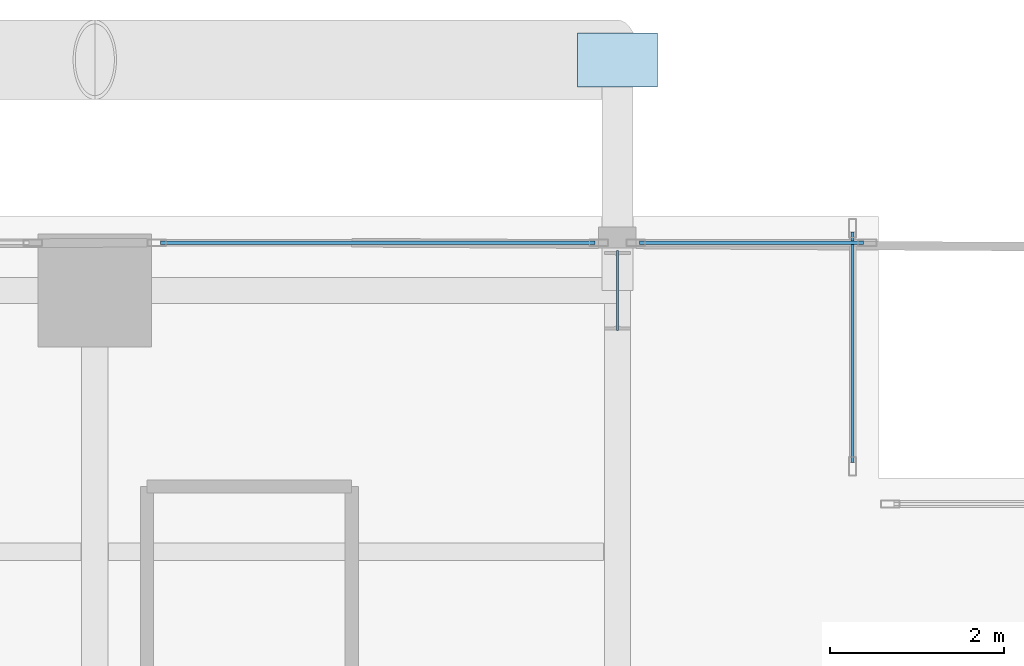
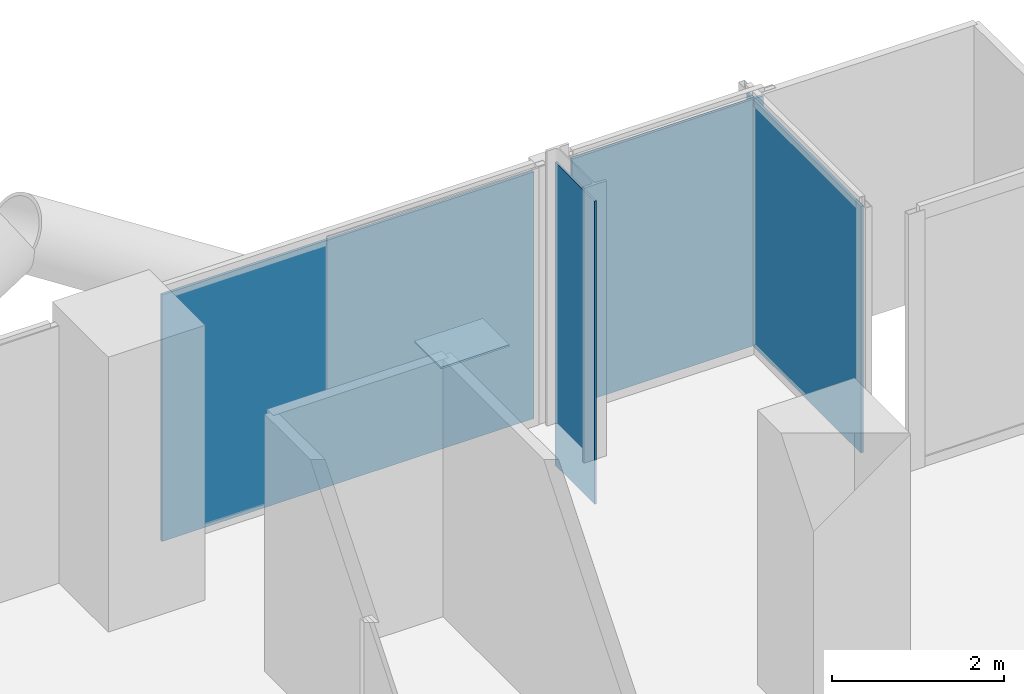
# One storey, part 18 of 25: 5 plates, 3 elements without a shape of their own.
"""IFC4 building model written with IfcOpenShell, lengths in metres."""

from ifc_helpers import new_model, si_unit, direction, frame, origin, origin_2d, place, context, subcontext, project, spatial, rectangle, extrude, material, layer, layer_set, type_object, element, aggregate, save


model = new_model("IFC4")

# Units and contexts
model_context = context("Model", 3, precision=1e-05, world=origin(), true_north=direction((0.0, 1.0)))
body_context = subcontext(model_context, "Body", "Model", "MODEL_VIEW")
ifc_project = project(units=[si_unit("LENGTHUNIT", "METRE"), si_unit("AREAUNIT", "SQUARE_METRE"), si_unit("VOLUMEUNIT", "CUBIC_METRE"), si_unit("PLANEANGLEUNIT", "RADIAN"), si_unit("MASSUNIT", "GRAM", prefix="KILO"), si_unit("THERMODYNAMICTEMPERATUREUNIT", "KELVIN"), si_unit("POWERUNIT", "WATT")], contexts=[model_context])

# Site, building, storey
site_placement = place(None, origin())
site = spatial("IfcSite", under=ifc_project, at=site_placement, CompositionType="ELEMENT")
building_placement = place(site_placement, origin())
building = spatial("IfcBuilding", under=site, at=building_placement, Name="Svarakhadi Broadcast Tower", CompositionType="ELEMENT")
storey_placement = place(building_placement, frame((0.0, 0.0, 32.39990234375)))
storey = spatial("IfcBuildingStorey", under=building, at=storey_placement, Name="L06", CompositionType="ELEMENT", Elevation=32.39990234375)

# Curtain wall, plate
ifc_material_1 = material(Name="Anodised Bronze Aluminium AA 6063-T6", Category="aluminium")
ifc_layer_1 = layer(ifc_material_1, 0.219970703125)
ifc_layer_set_1 = layer_set([ifc_layer_1], Name="Anodised Bronze Aluminium AA 6063-T6")
curtain_wall_type = type_object("IfcCurtainWallType", Name="CW_Sys_02", PredefinedType="NOTDEFINED", material=ifc_layer_set_1)
curtain_wall_1_placement = place(storey_placement, origin())
curtain_wall_1 = element("IfcCurtainWall", 1, at=curtain_wall_1_placement, inside=storey, type_object=curtain_wall_type, Name="L06 Unitised Facade Curtain Wall 06 Bay 3", PredefinedType="NOTDEFINED")
ifc_material_2 = material(Name="Double Low-E Laminated Acoustic Glass IGU 36 mm", Category="glass")
ifc_layer_2 = layer(ifc_material_2, 0.035888671875)
ifc_layer_set_2 = layer_set([ifc_layer_2], Name="Double Low-E Laminated Acoustic Glass IGU 36 mm")
plate_type_1 = type_object("IfcPlateType", Name="CW_Sys_02_Pnl", PredefinedType="CURTAIN_PANEL", material=ifc_layer_set_2)
plate_1_placement = place(storey_placement, frame((15.25, 47.699951171875, 0.0751953125), z_axis=(0.0, 0.0, 1.0), x_axis=(1.0, 0.0, 0.0)))
plate_1 = element("IfcPlate", 2, at=plate_1_placement, type_object=plate_type_1, Name="CW-02 panel 1.1", PredefinedType="CURTAIN_PANEL", context=body_context, shape_type="SweptSolid", body=[
    extrude(rectangle(XDim=4.989990234375, YDim=0.035888671875, at=origin_2d()), origin(), (0.0, 0.0, 1.0), 3.5),
])
aggregate(curtain_wall_1, [plate_1])

curtain_wall_2_placement = place(storey_placement, origin())
curtain_wall_2 = element("IfcCurtainWall", 3, at=curtain_wall_2_placement, inside=storey, type_object=curtain_wall_type, Name="L06 Unitised Facade Curtain Wall 06 Bay 4", PredefinedType="NOTDEFINED")
plate_2_placement = place(storey_placement, frame((19.5400390625, 47.699951171875, 0.0751953125), z_axis=(0.0, 0.0, 1.0), x_axis=(1.0, 0.0, 0.0)))
plate_2 = element("IfcPlate", 4, at=plate_2_placement, type_object=plate_type_1, Name="CW-02 panel 1.1", PredefinedType="CURTAIN_PANEL", context=body_context, shape_type="SweptSolid", body=[
    extrude(rectangle(XDim=2.570068359375, YDim=0.035888671875, at=origin_2d()), origin(), (0.0, 0.0, 1.0), 3.5),
])
aggregate(curtain_wall_2, [plate_2])

curtain_wall_3_placement = place(storey_placement, origin())
curtain_wall_3 = element("IfcCurtainWall", 5, at=curtain_wall_3_placement, inside=storey, type_object=curtain_wall_type, Name="L06 Unitised Facade Curtain Wall 07", PredefinedType="NOTDEFINED")
plate_3_placement = place(storey_placement, frame((20.699951171875, 46.5, 0.0751953125), z_axis=(0.0, 0.0, 1.0), x_axis=(0.0, -1.0, 0.0)))
plate_3 = element("IfcPlate", 6, at=plate_3_placement, type_object=plate_type_1, Name="CW-02 panel 1.1", PredefinedType="CURTAIN_PANEL", context=body_context, shape_type="SweptSolid", body=[
    extrude(rectangle(XDim=2.64990234375, YDim=0.035888671875, at=origin_2d()), origin(), (0.0, 0.0, 1.0), 3.5),
])
aggregate(curtain_wall_3, [plate_3])

# Plates
ifc_material_3 = material(Name="Steel S460ML (IS 2062 E450BR)", Category="steel")
ifc_layer_3 = layer(ifc_material_3, 0.02587890625)
ifc_layer_set_3 = layer_set([ifc_layer_3], Name="Steel S460ML (IS 2062 E450BR)")
plate_type_2 = type_object("IfcPlateType", Name="Node_Gusset_N07", PredefinedType="SHEET", material=ifc_layer_set_3)
plate_4_placement = place(storey_placement, frame((18.0, 49.800048828125, -0.249755859375), z_axis=(0.0, 0.0, 1.0), x_axis=(1.0, 0.0, 0.0)))
element("IfcPlate", 7, at=plate_4_placement, inside=storey, type_object=plate_type_2, Name="L06 Exoskeleton Gusset Node Plate N08", PredefinedType="SHEET", context=body_context, shape_type="SweptSolid", body=[
    extrude(rectangle(XDim=0.919921875, YDim=0.6201171875, at=origin_2d()), origin(), (0.0, 0.0, 1.0), 0.02587890625),
])
plate_5_placement = place(storey_placement, frame((18.0, 47.14990234375, -0.6279296875), z_axis=(0.0, 0.0, 1.0), x_axis=(0.0, 1.0, 0.0)))
element("IfcPlate", 8, at=plate_5_placement, inside=storey, type_object=plate_type_2, Name="L06 Brace End Connection Gusset Plate N-07-E0026", PredefinedType="SHEET", context=body_context, shape_type="SweptSolid", body=[
    extrude(rectangle(XDim=0.919921875, YDim=0.02587890625, at=origin_2d()), origin(), (0.0, 0.0, 1.0), 4.300048828125),
])

save(model, "model.ifc")
